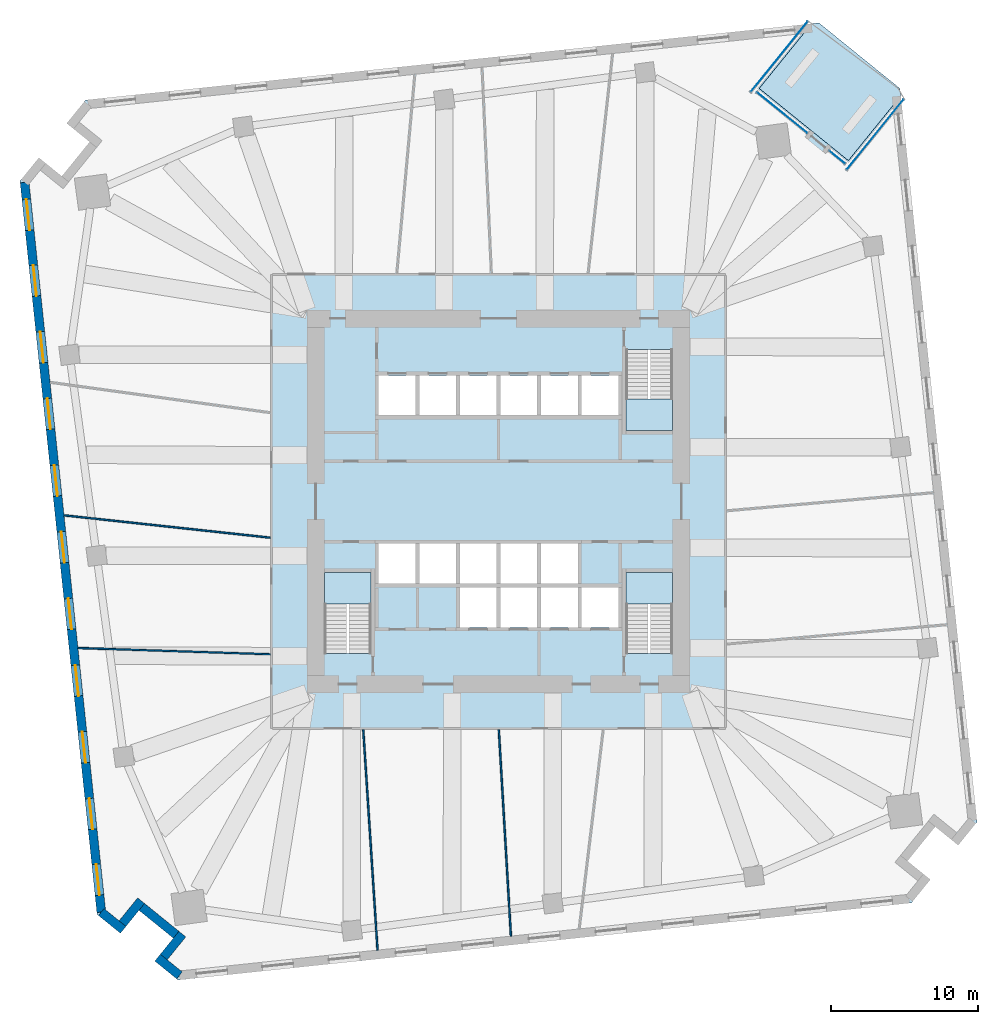
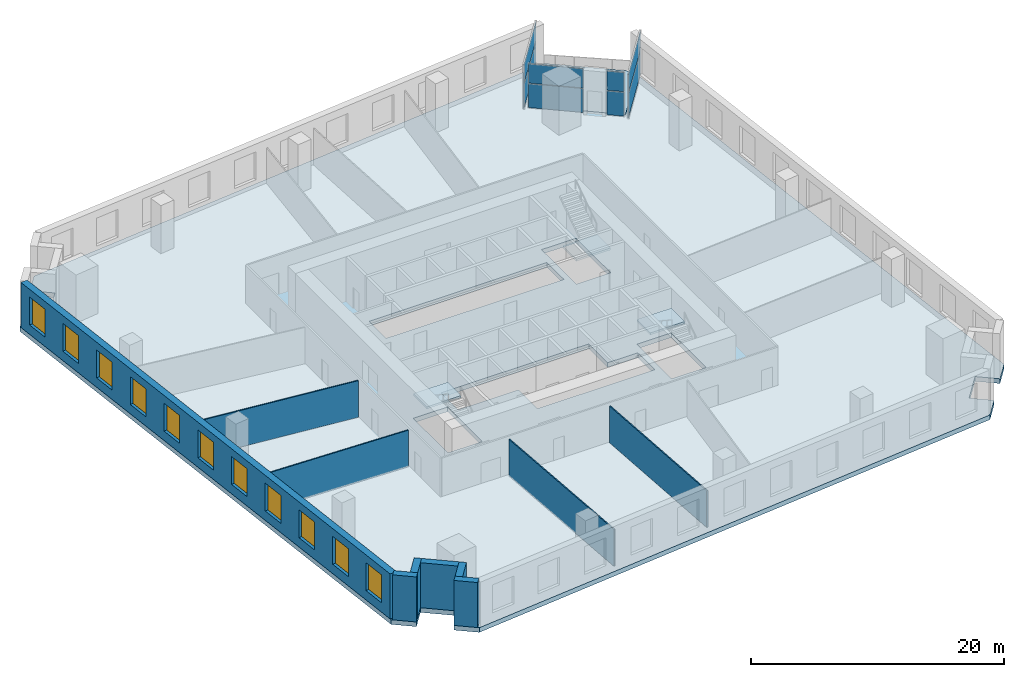
# One storey, part 3 of 10: 11 windows, 10 walls, 8 plates, 5 slabs, 11 openings, 7 elements without a shape of their own.
"""IFC4 building model written with IfcOpenShell, lengths in metres."""

from ifc_helpers import new_model, si_unit, direction, frame, frame_2d, origin, origin_2d, place, context, subcontext, project, spatial, polyline, rectangle, outline, extrude, material, layer, layer_set, type_object, element, fill, aggregate, save


model = new_model("IFC4")

# Units and contexts
model_context = context("Model", 3, precision=1e-05, world=origin(), true_north=direction((0.0, 1.0)))
body_context = subcontext(model_context, "Body", "Model", "MODEL_VIEW")
ifc_project = project(units=[si_unit("LENGTHUNIT", "METRE"), si_unit("AREAUNIT", "SQUARE_METRE"), si_unit("VOLUMEUNIT", "CUBIC_METRE"), si_unit("PLANEANGLEUNIT", "RADIAN"), si_unit("MASSUNIT", "GRAM", prefix="KILO")], contexts=[model_context])

# Site, building, storey
site_placement = place(None, origin())
site = spatial("IfcSite", under=ifc_project, at=site_placement, CompositionType="ELEMENT")
building_placement = place(site_placement, origin())
building = spatial("IfcBuilding", under=site, at=building_placement, Name="Dilmun Exchange Tower", CompositionType="ELEMENT")
storey_placement = place(building_placement, frame((0.0, 0.0, 46.5)))
storey = spatial("IfcBuildingStorey", under=building, at=storey_placement, Name="L10", CompositionType="ELEMENT", Elevation=46.5)

# Stair, slab
ifc_material_1 = material(Name="Concrete C40/50", Category="concrete")
stair_type = type_object("IfcStairType", Name="Exit stair 1500 half-turn", PredefinedType="HALF_TURN_STAIR", material=ifc_material_1)
stair_1_placement = place(storey_placement, origin())
stair_1 = element("IfcStair", 1, at=stair_1_placement, inside=storey, type_object=stair_type, Name="L10 Protected exit stair ST1", PredefinedType="HALF_TURN_STAIR")
ifc_layer_1 = layer(ifc_material_1, 0.199951171875)
ifc_layer_set_1 = layer_set([ifc_layer_1], Name="Concrete C40/50")
slab_type_1 = type_object("IfcSlabType", Name="Exit stair landing 200", PredefinedType="LANDING", material=ifc_layer_set_1)
slab_1_placement = place(storey_placement, frame((0.0, 0.0, 2.199951171875)))
slab_1 = element("IfcSlab", 2, at=slab_1_placement, type_object=slab_type_1, Name="ST1 landing 1", PredefinedType="LANDING", context=body_context, shape_type="SweptSolid", body=[
    extrude(outline(polyline([(8.64990234375, 6.93994140625), (8.64990234375, 4.800048828125), (11.800048828125, 4.800048828125), (11.800048828125, 6.93994140625), (8.64990234375, 6.93994140625)])), origin(), (0.0, 0.0, 1.0), 0.199951171875),
])
aggregate(stair_1, [slab_1])

stair_2_placement = place(storey_placement, origin())
stair_2 = element("IfcStair", 3, at=stair_2_placement, inside=storey, type_object=stair_type, Name="L10 Protected exit stair ST2", PredefinedType="HALF_TURN_STAIR")
slab_2_placement = place(storey_placement, frame((0.0, 0.0, 2.199951171875)))
slab_2 = element("IfcSlab", 4, at=slab_2_placement, type_object=slab_type_1, Name="ST2 landing 1", PredefinedType="LANDING", context=body_context, shape_type="SweptSolid", body=[
    extrude(outline(polyline([(-8.64990234375, -6.93994140625), (-8.64990234375, -4.800048828125), (-11.800048828125, -4.800048828125), (-11.800048828125, -6.93994140625), (-8.64990234375, -6.93994140625)])), origin(), (0.0, 0.0, 1.0), 0.199951171875),
])
aggregate(stair_2, [slab_2])

stair_3_placement = place(storey_placement, origin())
stair_3 = element("IfcStair", 5, at=stair_3_placement, inside=storey, type_object=stair_type, Name="L10 Protected exit stair ST3", PredefinedType="HALF_TURN_STAIR")
slab_3_placement = place(storey_placement, frame((0.0, 0.0, 2.199951171875)))
slab_3 = element("IfcSlab", 6, at=slab_3_placement, type_object=slab_type_1, Name="ST3 landing 1", PredefinedType="LANDING", context=body_context, shape_type="SweptSolid", body=[
    extrude(outline(polyline([(11.800048828125, -6.93994140625), (11.800048828125, -4.800048828125), (8.64990234375, -4.800048828125), (8.64990234375, -6.93994140625), (11.800048828125, -6.93994140625)])), origin(), (0.0, 0.0, 1.0), 0.199951171875),
])
aggregate(stair_3, [slab_3])

# Curtain wall, plates
ifc_material_2 = material(Name="Anodised aluminium and clear glass", Category="aluminium")
curtain_wall_type = type_object("IfcCurtainWallType", Name="Garden corner glazing", PredefinedType="NOTDEFINED", material=ifc_material_2)
curtain_wall_1_placement = place(storey_placement, origin())
curtain_wall_1 = element("IfcCurtainWall", 7, at=curtain_wall_1_placement, inside=storey, type_object=curtain_wall_type, Name="Garden corner glazing run GC1.1", PredefinedType="NOTDEFINED")
ifc_material_3 = material(Name="Clear glass", Category="glass")
ifc_layer_2 = layer(ifc_material_3, 0.028076171875)
ifc_layer_set_2 = layer_set([ifc_layer_2], Name="Clear glass")
plate_type = type_object("IfcPlateType", Name="Garden corner glazing glass panel 28", PredefinedType="CURTAIN_PANEL", material=ifc_layer_set_2)
plate_1_placement = place(storey_placement, frame((25.542236328125, 24.885498046875, 0.06005859375), z_axis=(0.0, 0.0, 1.0), x_axis=(-0.629328550374, -0.777139354096, 0.0)))
plate_1 = element("IfcPlate", 8, at=plate_1_placement, type_object=plate_type, Name="GC1.1 panel 1.1", PredefinedType="CURTAIN_PANEL", context=body_context, shape_type="SweptSolid", body=[
    extrude(rectangle(XDim=6.12646484375, YDim=0.028076171875, at=origin_2d()), origin(), (0.0, 0.0, 1.0), 2.31005859375),
])
plate_2_placement = place(storey_placement, frame((25.542236328125, 24.885498046875, 2.43017578125), z_axis=(0.0, 0.0, 1.0), x_axis=(-0.629328550374, -0.777139354096, 0.0)))
plate_2 = element("IfcPlate", 9, at=plate_2_placement, type_object=plate_type, Name="GC1.1 panel 1.2", PredefinedType="CURTAIN_PANEL", context=body_context, shape_type="SweptSolid", body=[
    extrude(rectangle(XDim=6.12646484375, YDim=0.028076171875, at=origin_2d()), origin(), (0.0, 0.0, 1.0), 1.860107421875),
])
aggregate(curtain_wall_1, [plate_1, plate_2])

curtain_wall_2_placement = place(storey_placement, origin())
curtain_wall_2 = element("IfcCurtainWall", 10, at=curtain_wall_2_placement, inside=storey, type_object=curtain_wall_type, Name="Garden corner glazing run GC2.1", PredefinedType="NOTDEFINED")
plate_3_placement = place(storey_placement, frame((22.953857421875, 23.348876953125, 0.06005859375), z_axis=(0.0, 0.0, 1.0), x_axis=(-0.777140076712, 0.629327658035, 0.0)))
plate_3 = element("IfcPlate", 11, at=plate_3_placement, type_object=plate_type, Name="GC2.1 panel 1.1", PredefinedType="CURTAIN_PANEL", context=body_context, shape_type="SweptSolid", body=[
    extrude(rectangle(XDim=1.369140625, YDim=0.028076171875, at=origin_2d()), origin(), (0.0, 0.0, 1.0), 2.31005859375),
])
plate_4_placement = place(storey_placement, frame((22.953857421875, 23.348876953125, 2.43017578125), z_axis=(0.0, 0.0, 1.0), x_axis=(-0.777140076712, 0.629327658035, 0.0)))
plate_4 = element("IfcPlate", 12, at=plate_4_placement, type_object=plate_type, Name="GC2.1 panel 1.2", PredefinedType="CURTAIN_PANEL", context=body_context, shape_type="SweptSolid", body=[
    extrude(rectangle(XDim=1.369140625, YDim=0.028076171875, at=origin_2d()), origin(), (0.0, 0.0, 1.0), 1.860107421875),
])
aggregate(curtain_wall_2, [plate_3, plate_4])

curtain_wall_3_placement = place(storey_placement, origin())
curtain_wall_3 = element("IfcCurtainWall", 13, at=curtain_wall_3_placement, inside=storey, type_object=curtain_wall_type, Name="Garden corner glazing run GC2.3", PredefinedType="NOTDEFINED")
plate_5_placement = place(storey_placement, frame((19.23193359375, 26.36279296875, 0.06005859375), z_axis=(0.0, 0.0, 1.0), x_axis=(-0.777156154153, 0.62930780391, 0.0)))
plate_5 = element("IfcPlate", 14, at=plate_5_placement, type_object=plate_type, Name="GC2.3 panel 1.1", PredefinedType="CURTAIN_PANEL", context=body_context, shape_type="SweptSolid", body=[
    extrude(rectangle(XDim=4.369140625, YDim=0.028076171875, at=origin_2d()), origin(), (0.0, 0.0, 1.0), 2.31005859375),
])
plate_6_placement = place(storey_placement, frame((19.23193359375, 26.36279296875, 2.43017578125), z_axis=(0.0, 0.0, 1.0), x_axis=(-0.777156154153, 0.62930780391, 0.0)))
plate_6 = element("IfcPlate", 15, at=plate_6_placement, type_object=plate_type, Name="GC2.3 panel 1.2", PredefinedType="CURTAIN_PANEL", context=body_context, shape_type="SweptSolid", body=[
    extrude(rectangle(XDim=4.369140625, YDim=0.028076171875, at=origin_2d()), origin(), (0.0, 0.0, 1.0), 1.860107421875),
])
aggregate(curtain_wall_3, [plate_5, plate_6])

curtain_wall_4_placement = place(storey_placement, origin())
curtain_wall_4 = element("IfcCurtainWall", 16, at=curtain_wall_4_placement, inside=storey, type_object=curtain_wall_type, Name="Garden corner glazing run GC3.1", PredefinedType="NOTDEFINED")
plate_7_placement = place(storey_placement, frame((19.03125, 30.158203125, 0.06005859375), z_axis=(0.0, 0.0, 1.0), x_axis=(0.629318881674, 0.777147183723, 0.0)))
plate_7 = element("IfcPlate", 17, at=plate_7_placement, type_object=plate_type, Name="GC3.1 panel 1.1", PredefinedType="CURTAIN_PANEL", context=body_context, shape_type="SweptSolid", body=[
    extrude(rectangle(XDim=6.12646484375, YDim=0.028076171875, at=origin_2d()), origin(), (0.0, 0.0, 1.0), 2.31005859375),
])
plate_8_placement = place(storey_placement, frame((19.03125, 30.158203125, 2.43017578125), z_axis=(0.0, 0.0, 1.0), x_axis=(0.629318881674, 0.777147183723, 0.0)))
plate_8 = element("IfcPlate", 18, at=plate_8_placement, type_object=plate_type, Name="GC3.1 panel 1.2", PredefinedType="CURTAIN_PANEL", context=body_context, shape_type="SweptSolid", body=[
    extrude(rectangle(XDim=6.12646484375, YDim=0.028076171875, at=origin_2d()), origin(), (0.0, 0.0, 1.0), 1.860107421875),
])
aggregate(curtain_wall_4, [plate_7, plate_8])

# Slabs
ifc_layer_3 = layer(ifc_material_1, 0.449951171875)
ifc_layer_set_3 = layer_set([ifc_layer_3], Name="Concrete C40/50")
slab_type_2 = type_object("IfcSlabType", Name="RC floor slab 450", PredefinedType="FLOOR", material=ifc_layer_set_3)
slab_4_placement = place(storey_placement, frame((0.0, 0.0, -0.449951171875)))
element("IfcSlab", 19, at=slab_4_placement, inside=storey, type_object=slab_type_2, Name="Floor slab", PredefinedType="FLOOR", context=body_context, shape_type="SweptSolid", body=[
    extrude(outline(polyline([(31.16796875, -23.30908203125), (29.613525390625, -22.050537109375), (27.7255859375, -24.3818359375), (29.27978515625, -25.640380859375), (27.998779296875, -27.222412109375), (-21.727294921875, -32.448974609375), (-23.30908203125, -31.16796875), (-22.050537109375, -29.613525390625), (-24.3818359375, -27.7255859375), (-25.640380859375, -29.27978515625), (-27.222412109375, -27.998779296875), (-32.448974609375, 21.727294921875), (-31.16796875, 23.30908203125), (-29.613525390625, 22.050537109375), (-27.7255859375, 24.3818359375), (-29.27978515625, 25.640380859375), (-27.998779296875, 27.222412109375), (21.22998046875, 32.396484375), (17.676513671875, 28.008544921875), (23.72119140625, 23.113525390625), (27.274658203125, 27.501708984375), (32.448974609375, -21.727294921875), (31.16796875, -23.30908203125)]), holes=[polyline([(-8.64990234375, -4.800048828125), (-11.800048828125, -4.800048828125), (-11.800048828125, -10.294921875), (-8.64990234375, -10.294921875), (-8.64990234375, -4.800048828125)]), polyline([(11.800048828125, -4.800048828125), (8.64990234375, -4.800048828125), (8.64990234375, -10.294921875), (11.800048828125, -10.294921875), (11.800048828125, -4.800048828125)]), polyline([(-8.125, -2.85009765625), (-8.125, -5.550048828125), (-2.625, -5.550048828125), (-2.625, -8.550048828125), (8.125, -8.550048828125), (8.125, -5.85009765625), (5.375, -5.85009765625), (5.375, -2.85009765625), (-8.125, -2.85009765625)]), polyline([(-8.125, 5.85009765625), (8.125, 5.85009765625), (8.125, 8.550048828125), (-8.125, 8.550048828125), (-8.125, 5.85009765625)]), polyline([(8.64990234375, 10.294921875), (8.64990234375, 4.800048828125), (11.800048828125, 4.800048828125), (11.800048828125, 10.294921875), (8.64990234375, 10.294921875)])]), origin(), (0.0, 0.0, 1.0), 0.449951171875),
])
ifc_layer_4 = layer(ifc_material_1, 0.300048828125)
ifc_layer_set_4 = layer_set([ifc_layer_4], Name="Concrete C40/50")
slab_type_3 = type_object("IfcSlabType", Name="RC garden terrace slab 300", PredefinedType="FLOOR", material=ifc_layer_set_4)
slab_5_placement = place(storey_placement, frame((0.0, 0.0, -0.300048828125)))
element("IfcSlab", 20, at=slab_5_placement, inside=storey, type_object=slab_type_3, Name="Garden terrace slab", PredefinedType="FLOOR", context=body_context, shape_type="SweptSolid", body=[
    extrude(outline(polyline([(17.676513671875, 28.008544921875), (21.22998046875, 32.396484375), (21.727294921875, 32.448974609375), (27.222412109375, 27.998779296875), (27.274658203125, 27.501708984375), (23.72119140625, 23.113525390625), (17.676513671875, 28.008544921875)])), origin(), (0.0, 0.0, 1.0), 0.300048828125),
])

# Walls
ifc_material_4 = material(Name="Partition 100")
ifc_layer_5 = layer(ifc_material_4, 0.10009765625)
ifc_layer_set_5 = layer_set([ifc_layer_5], Name="Partition 100")
wall_type_1 = type_object("IfcWallType", Name="Partition 100", PredefinedType="PARTITIONING", material=ifc_layer_set_5)
wall_1_placement = place(storey_placement, frame((-29.4609375, -0.94140625, 0.0), z_axis=(0.0, 0.0, 1.0), x_axis=(0.994180492655, -0.107727192598, 0.0)))
element("IfcWall", 21, at=wall_1_placement, inside=storey, type_object=wall_type_1, Name="Partition", PredefinedType="PARTITIONING", context=body_context, shape_type="SweptSolid", body=[
    extrude(rectangle(XDim=14.062255859375, YDim=0.10009765625, at=frame_2d((7.03125, 0.0))), origin(), (0.0, 0.0, 1.0), 3.550048828125),
])
wall_2_placement = place(storey_placement, frame((-28.515625, -9.935791015625, 0.0), z_axis=(0.0, 0.0, 1.0), x_axis=(0.999467274865, -0.032636888245, 0.0)))
element("IfcWall", 22, at=wall_2_placement, inside=storey, type_object=wall_type_1, Name="Partition", PredefinedType="PARTITIONING", context=body_context, shape_type="SweptSolid", body=[
    extrude(rectangle(XDim=13.0458984375, YDim=0.10009765625, at=frame_2d((6.52294921875, 0.0))), origin(), (0.0, 0.0, 1.0), 3.550048828125),
])
wall_3_placement = place(storey_placement, frame((-9.173828125, -15.478271484375, 0.0), z_axis=(0.0, 0.0, 1.0), x_axis=(0.064755162469, -0.997901181948, 0.0)))
element("IfcWall", 23, at=wall_3_placement, inside=storey, type_object=wall_type_1, Name="Partition", PredefinedType="PARTITIONING", context=body_context, shape_type="SweptSolid", body=[
    extrude(rectangle(XDim=14.975341796875, YDim=0.10009765625, at=frame_2d((7.48779296875, 0.0))), origin(), (0.0, 0.0, 1.0), 3.550048828125),
])
wall_4_placement = place(storey_placement, frame((0.0185546875, -15.477783203125, 0.0), z_axis=(0.0, 0.0, 1.0), x_axis=(0.058657702067, -0.998278154618, 0.0)))
element("IfcWall", 24, at=wall_4_placement, inside=storey, type_object=wall_type_1, Name="Partition", PredefinedType="PARTITIONING", context=body_context, shape_type="SweptSolid", body=[
    extrude(rectangle(XDim=14.01806640625, YDim=0.10009765625, at=frame_2d((7.009033203125, 0.0))), origin(), (0.0, 0.0, 1.0), 3.550048828125),
])

# Wall, openings, windows
ifc_material_5 = material(Name="Precast concrete C50/60", Category="concrete")
ifc_layer_6 = layer(ifc_material_5, 0.60009765625)
ifc_layer_set_6 = layer_set([ifc_layer_6], Name="Precast concrete C50/60")
wall_type_2 = type_object("IfcWallType", Name="Precast stone-clad wall 600", PredefinedType="STANDARD", material=ifc_layer_set_6)
wall_5_placement = place(storey_placement, frame((-32.137451171875, 21.635009765625, 0.0), z_axis=(0.0, 0.0, 1.0), x_axis=(0.104528196591, -0.994521923397, 0.0)))
wall_5 = element("IfcWall", 25, at=wall_5_placement, inside=storey, type_object=wall_type_2, Name="Facade wall L10-09", PredefinedType="STANDARD", context=body_context, shape_type="SweptSolid", body=[
    extrude(rectangle(XDim=49.75146484375, YDim=0.60009765625, at=frame_2d((24.875732421875, 0.0))), origin(), (0.0, 0.0, 1.0), 4.35009765625),
])
opening_1_placement = place(wall_5_placement, frame((1.16064453125, 0.0, 0.89990234375)))
opening_1 = element("IfcOpeningElement", 26, at=opening_1_placement, cuts=wall_5, Name="Opening W210-270", PredefinedType="OPENING", context=body_context, shape_type="SweptSolid", body=[
    extrude(rectangle(XDim=2.10009765625, YDim=2.699951171875, at=frame_2d((1.050048828125, 1.35009765625))), frame((0.0, 0.31005859375, 0.0), z_axis=(0.0, -1.0, 0.0), x_axis=(1.0, 0.0, 0.0)), (0.0, 0.0, 1.0), 0.6201171875),
])
opening_2_placement = place(wall_5_placement, frame((5.643798828125, 0.0, 0.89990234375)))
opening_2 = element("IfcOpeningElement", 27, at=opening_2_placement, cuts=wall_5, Name="Opening W210-270", PredefinedType="OPENING", context=body_context, shape_type="SweptSolid", body=[
    extrude(rectangle(XDim=2.10009765625, YDim=2.699951171875, at=frame_2d((1.050048828125, 1.35009765625))), frame((0.0, 0.31005859375, 0.0), z_axis=(0.0, -1.0, 0.0), x_axis=(1.0, 0.0, 0.0)), (0.0, 0.0, 1.0), 0.6201171875),
])
opening_3_placement = place(wall_5_placement, frame((10.189453125, 0.0, 0.89990234375)))
opening_3 = element("IfcOpeningElement", 28, at=opening_3_placement, cuts=wall_5, Name="Opening W210-270", PredefinedType="OPENING", context=body_context, shape_type="SweptSolid", body=[
    extrude(rectangle(XDim=2.10009765625, YDim=2.699951171875, at=frame_2d((1.050048828125, 1.35009765625))), frame((0.0, 0.31005859375, 0.0), z_axis=(0.0, -1.0, 0.0), x_axis=(1.0, 0.0, 0.0)), (0.0, 0.0, 1.0), 0.6201171875),
])
opening_4_placement = place(wall_5_placement, frame((14.73486328125, 0.0, 0.89990234375)))
opening_4 = element("IfcOpeningElement", 29, at=opening_4_placement, cuts=wall_5, Name="Opening W210-270", PredefinedType="OPENING", context=body_context, shape_type="SweptSolid", body=[
    extrude(rectangle(XDim=2.10009765625, YDim=2.699951171875, at=frame_2d((1.050048828125, 1.35009765625))), frame((0.0, 0.31005859375, 0.0), z_axis=(0.0, -1.0, 0.0), x_axis=(1.0, 0.0, 0.0)), (0.0, 0.0, 1.0), 0.6201171875),
])
opening_5_placement = place(wall_5_placement, frame((19.2802734375, 0.0, 0.89990234375)))
opening_5 = element("IfcOpeningElement", 30, at=opening_5_placement, cuts=wall_5, Name="Opening W210-270", PredefinedType="OPENING", context=body_context, shape_type="SweptSolid", body=[
    extrude(rectangle(XDim=2.10009765625, YDim=2.699951171875, at=frame_2d((1.050048828125, 1.35009765625))), frame((0.0, 0.31005859375, 0.0), z_axis=(0.0, -1.0, 0.0), x_axis=(1.0, 0.0, 0.0)), (0.0, 0.0, 1.0), 0.6201171875),
])
opening_6_placement = place(wall_5_placement, frame((23.82568359375, 0.0, 0.89990234375)))
opening_6 = element("IfcOpeningElement", 31, at=opening_6_placement, cuts=wall_5, Name="Opening W210-270", PredefinedType="OPENING", context=body_context, shape_type="SweptSolid", body=[
    extrude(rectangle(XDim=2.10009765625, YDim=2.699951171875, at=frame_2d((1.050048828125, 1.35009765625))), frame((0.0, 0.31005859375, 0.0), z_axis=(0.0, -1.0, 0.0), x_axis=(1.0, 0.0, 0.0)), (0.0, 0.0, 1.0), 0.6201171875),
])
opening_7_placement = place(wall_5_placement, frame((28.37109375, 0.0, 0.89990234375)))
opening_7 = element("IfcOpeningElement", 32, at=opening_7_placement, cuts=wall_5, Name="Opening W210-270", PredefinedType="OPENING", context=body_context, shape_type="SweptSolid", body=[
    extrude(rectangle(XDim=2.10009765625, YDim=2.699951171875, at=frame_2d((1.050048828125, 1.35009765625))), frame((0.0, 0.31005859375, 0.0), z_axis=(0.0, -1.0, 0.0), x_axis=(1.0, 0.0, 0.0)), (0.0, 0.0, 1.0), 0.6201171875),
])
opening_8_placement = place(wall_5_placement, frame((32.91650390625, 0.0, 0.89990234375)))
opening_8 = element("IfcOpeningElement", 33, at=opening_8_placement, cuts=wall_5, Name="Opening W210-270", PredefinedType="OPENING", context=body_context, shape_type="SweptSolid", body=[
    extrude(rectangle(XDim=2.10009765625, YDim=2.699951171875, at=frame_2d((1.050048828125, 1.35009765625))), frame((0.0, 0.31005859375, 0.0), z_axis=(0.0, -1.0, 0.0), x_axis=(1.0, 0.0, 0.0)), (0.0, 0.0, 1.0), 0.6201171875),
])
opening_9_placement = place(wall_5_placement, frame((37.462158203125, 0.0, 0.89990234375)))
opening_9 = element("IfcOpeningElement", 34, at=opening_9_placement, cuts=wall_5, Name="Opening W210-270", PredefinedType="OPENING", context=body_context, shape_type="SweptSolid", body=[
    extrude(rectangle(XDim=2.10009765625, YDim=2.699951171875, at=frame_2d((1.050048828125, 1.35009765625))), frame((0.0, 0.31005859375, 0.0), z_axis=(0.0, -1.0, 0.0), x_axis=(1.0, 0.0, 0.0)), (0.0, 0.0, 1.0), 0.6201171875),
])
opening_10_placement = place(wall_5_placement, frame((42.007568359375, 0.0, 0.89990234375)))
opening_10 = element("IfcOpeningElement", 35, at=opening_10_placement, cuts=wall_5, Name="Opening W210-270", PredefinedType="OPENING", context=body_context, shape_type="SweptSolid", body=[
    extrude(rectangle(XDim=2.10009765625, YDim=2.699951171875, at=frame_2d((1.050048828125, 1.35009765625))), frame((0.0, 0.31005859375, 0.0), z_axis=(0.0, -1.0, 0.0), x_axis=(1.0, 0.0, 0.0)), (0.0, 0.0, 1.0), 0.6201171875),
])
opening_11_placement = place(wall_5_placement, frame((46.490966796875, 0.0, 0.89990234375)))
opening_11 = element("IfcOpeningElement", 36, at=opening_11_placement, cuts=wall_5, Name="Opening W210-270", PredefinedType="OPENING", context=body_context, shape_type="SweptSolid", body=[
    extrude(rectangle(XDim=2.10009765625, YDim=2.699951171875, at=frame_2d((1.050048828125, 1.35009765625))), frame((0.0, 0.31005859375, 0.0), z_axis=(0.0, -1.0, 0.0), x_axis=(1.0, 0.0, 0.0)), (0.0, 0.0, 1.0), 0.6201171875),
])
ifc_material_6 = material(Name="Clear low-emissivity glass in aluminium frame", Category="aluminium")
window_type = type_object("IfcWindowType", Name="Punched window 2100 x 2700", PartitioningType="DOUBLE_PANEL_VERTICAL", PredefinedType="WINDOW", material=ifc_material_6)
window_1_placement = place(opening_1_placement, origin())
window_1 = element("IfcWindow", 37, at=window_1_placement, inside=storey, type_object=window_type, Name="Window 10.1", OverallHeight=2.699951171875, OverallWidth=2.10009765625, PartitioningType="SINGLE_PANEL", PredefinedType="WINDOW", context=body_context, shape_type="SweptSolid", body=[
    extrude(rectangle(XDim=2.10009765625, YDim=2.699951171875, at=frame_2d((1.050048828125, 1.35009765625))), frame((0.0, 0.030029296875, 0.0), z_axis=(0.0, -1.0, 0.0), x_axis=(1.0, 0.0, 0.0)), (0.0, 0.0, 1.0), 0.06005859375),
])
fill(opening_1, window_1)
window_2_placement = place(opening_2_placement, origin())
window_2 = element("IfcWindow", 38, at=window_2_placement, inside=storey, type_object=window_type, Name="Window 10.2", OverallHeight=2.699951171875, OverallWidth=2.10009765625, PartitioningType="SINGLE_PANEL", PredefinedType="WINDOW", context=body_context, shape_type="SweptSolid", body=[
    extrude(rectangle(XDim=2.10009765625, YDim=2.699951171875, at=frame_2d((1.050048828125, 1.35009765625))), frame((0.0, 0.030029296875, 0.0), z_axis=(0.0, -1.0, 0.0), x_axis=(1.0, 0.0, 0.0)), (0.0, 0.0, 1.0), 0.06005859375),
])
fill(opening_2, window_2)
window_3_placement = place(opening_3_placement, origin())
window_3 = element("IfcWindow", 39, at=window_3_placement, inside=storey, type_object=window_type, Name="Window 10.3", OverallHeight=2.699951171875, OverallWidth=2.10009765625, PartitioningType="SINGLE_PANEL", PredefinedType="WINDOW", context=body_context, shape_type="SweptSolid", body=[
    extrude(rectangle(XDim=2.10009765625, YDim=2.699951171875, at=frame_2d((1.050048828125, 1.35009765625))), frame((0.0, 0.030029296875, 0.0), z_axis=(0.0, -1.0, 0.0), x_axis=(1.0, 0.0, 0.0)), (0.0, 0.0, 1.0), 0.06005859375),
])
fill(opening_3, window_3)
window_4_placement = place(opening_4_placement, origin())
window_4 = element("IfcWindow", 40, at=window_4_placement, inside=storey, type_object=window_type, Name="Window 10.4", OverallHeight=2.699951171875, OverallWidth=2.10009765625, PartitioningType="SINGLE_PANEL", PredefinedType="WINDOW", context=body_context, shape_type="SweptSolid", body=[
    extrude(rectangle(XDim=2.10009765625, YDim=2.699951171875, at=frame_2d((1.050048828125, 1.35009765625))), frame((0.0, 0.030029296875, 0.0), z_axis=(0.0, -1.0, 0.0), x_axis=(1.0, 0.0, 0.0)), (0.0, 0.0, 1.0), 0.06005859375),
])
fill(opening_4, window_4)
window_5_placement = place(opening_5_placement, origin())
window_5 = element("IfcWindow", 41, at=window_5_placement, inside=storey, type_object=window_type, Name="Window 10.5", OverallHeight=2.699951171875, OverallWidth=2.10009765625, PartitioningType="SINGLE_PANEL", PredefinedType="WINDOW", context=body_context, shape_type="SweptSolid", body=[
    extrude(rectangle(XDim=2.10009765625, YDim=2.699951171875, at=frame_2d((1.050048828125, 1.35009765625))), frame((0.0, 0.030029296875, 0.0), z_axis=(0.0, -1.0, 0.0), x_axis=(1.0, 0.0, 0.0)), (0.0, 0.0, 1.0), 0.06005859375),
])
fill(opening_5, window_5)
window_6_placement = place(opening_6_placement, origin())
window_6 = element("IfcWindow", 42, at=window_6_placement, inside=storey, type_object=window_type, Name="Window 10.6", OverallHeight=2.699951171875, OverallWidth=2.10009765625, PartitioningType="SINGLE_PANEL", PredefinedType="WINDOW", context=body_context, shape_type="SweptSolid", body=[
    extrude(rectangle(XDim=2.10009765625, YDim=2.699951171875, at=frame_2d((1.050048828125, 1.35009765625))), frame((0.0, 0.030029296875, 0.0), z_axis=(0.0, -1.0, 0.0), x_axis=(1.0, 0.0, 0.0)), (0.0, 0.0, 1.0), 0.06005859375),
])
fill(opening_6, window_6)
window_7_placement = place(opening_7_placement, origin())
window_7 = element("IfcWindow", 43, at=window_7_placement, inside=storey, type_object=window_type, Name="Window 10.7", OverallHeight=2.699951171875, OverallWidth=2.10009765625, PartitioningType="SINGLE_PANEL", PredefinedType="WINDOW", context=body_context, shape_type="SweptSolid", body=[
    extrude(rectangle(XDim=2.10009765625, YDim=2.699951171875, at=frame_2d((1.050048828125, 1.35009765625))), frame((0.0, 0.030029296875, 0.0), z_axis=(0.0, -1.0, 0.0), x_axis=(1.0, 0.0, 0.0)), (0.0, 0.0, 1.0), 0.06005859375),
])
fill(opening_7, window_7)
window_8_placement = place(opening_8_placement, origin())
window_8 = element("IfcWindow", 44, at=window_8_placement, inside=storey, type_object=window_type, Name="Window 10.8", OverallHeight=2.699951171875, OverallWidth=2.10009765625, PartitioningType="SINGLE_PANEL", PredefinedType="WINDOW", context=body_context, shape_type="SweptSolid", body=[
    extrude(rectangle(XDim=2.10009765625, YDim=2.699951171875, at=frame_2d((1.050048828125, 1.35009765625))), frame((0.0, 0.030029296875, 0.0), z_axis=(0.0, -1.0, 0.0), x_axis=(1.0, 0.0, 0.0)), (0.0, 0.0, 1.0), 0.06005859375),
])
fill(opening_8, window_8)
window_9_placement = place(opening_9_placement, origin())
window_9 = element("IfcWindow", 45, at=window_9_placement, inside=storey, type_object=window_type, Name="Window 10.9", OverallHeight=2.699951171875, OverallWidth=2.10009765625, PartitioningType="SINGLE_PANEL", PredefinedType="WINDOW", context=body_context, shape_type="SweptSolid", body=[
    extrude(rectangle(XDim=2.10009765625, YDim=2.699951171875, at=frame_2d((1.050048828125, 1.35009765625))), frame((0.0, 0.030029296875, 0.0), z_axis=(0.0, -1.0, 0.0), x_axis=(1.0, 0.0, 0.0)), (0.0, 0.0, 1.0), 0.06005859375),
])
fill(opening_9, window_9)
window_10_placement = place(opening_10_placement, origin())
window_10 = element("IfcWindow", 46, at=window_10_placement, inside=storey, type_object=window_type, Name="Window 10.10", OverallHeight=2.699951171875, OverallWidth=2.10009765625, PartitioningType="SINGLE_PANEL", PredefinedType="WINDOW", context=body_context, shape_type="SweptSolid", body=[
    extrude(rectangle(XDim=2.10009765625, YDim=2.699951171875, at=frame_2d((1.050048828125, 1.35009765625))), frame((0.0, 0.030029296875, 0.0), z_axis=(0.0, -1.0, 0.0), x_axis=(1.0, 0.0, 0.0)), (0.0, 0.0, 1.0), 0.06005859375),
])
fill(opening_10, window_10)
window_11_placement = place(opening_11_placement, origin())
window_11 = element("IfcWindow", 47, at=window_11_placement, inside=storey, type_object=window_type, Name="Window 10.11", OverallHeight=2.699951171875, OverallWidth=2.10009765625, PartitioningType="SINGLE_PANEL", PredefinedType="WINDOW", context=body_context, shape_type="SweptSolid", body=[
    extrude(rectangle(XDim=2.10009765625, YDim=2.699951171875, at=frame_2d((1.050048828125, 1.35009765625))), frame((0.0, 0.030029296875, 0.0), z_axis=(0.0, -1.0, 0.0), x_axis=(1.0, 0.0, 0.0)), (0.0, 0.0, 1.0), 0.06005859375),
])
fill(opening_11, window_11)

# Walls
wall_6_placement = place(storey_placement, frame((-26.93701171875, -27.843994140625, 0.0), z_axis=(0.0, 0.0, 1.0), x_axis=(0.777128847746, -0.629341524136, 0.0)))
element("IfcWall", 48, at=wall_6_placement, inside=storey, type_object=wall_type_2, Name="Facade wall L10-10", PredefinedType="STANDARD", context=body_context, shape_type="SweptSolid", body=[
    extrude(rectangle(XDim=1.911376953125, YDim=0.60009765625, at=frame_2d((0.95556640625, 0.0))), origin(), (0.0, 0.0, 1.0), 4.35009765625),
])
wall_7_placement = place(storey_placement, frame((-25.49609375, -28.624755859375, 0.0), z_axis=(0.0, 0.0, 1.0), x_axis=(0.629387834958, 0.777091341611, 0.0)))
element("IfcWall", 49, at=wall_7_placement, inside=storey, type_object=wall_type_2, Name="Facade wall L10-11", PredefinedType="STANDARD", context=body_context, shape_type="SweptSolid", body=[
    extrude(rectangle(XDim=2.0, YDim=0.60009765625, at=frame_2d((1.0, 0.0))), origin(), (0.0, 0.0, 1.0), 4.35009765625),
])
wall_8_placement = place(storey_placement, frame((-24.193115234375, -27.492431640625, 0.0), z_axis=(0.0, 0.0, 1.0), x_axis=(0.777131144068, -0.629338688562, 0.0)))
element("IfcWall", 50, at=wall_8_placement, inside=storey, type_object=wall_type_2, Name="Facade wall L10-12", PredefinedType="STANDARD", context=body_context, shape_type="SweptSolid", body=[
    extrude(rectangle(XDim=3.0, YDim=0.60009765625, at=frame_2d((1.5, 0.0))), origin(), (0.0, 0.0, 1.0), 4.35009765625),
])
wall_9_placement = place(storey_placement, frame((-21.439697265625, -29.336181640625, 0.0), z_axis=(0.0, 0.0, 1.0), x_axis=(-0.629387834958, -0.777091341611, 0.0)))
element("IfcWall", 51, at=wall_9_placement, inside=storey, type_object=wall_type_2, Name="Facade wall L10-13", PredefinedType="STANDARD", context=body_context, shape_type="SweptSolid", body=[
    extrude(rectangle(XDim=2.0, YDim=0.60009765625, at=frame_2d((1.0, 0.0))), origin(), (0.0, 0.0, 1.0), 4.35009765625),
])
wall_10_placement = place(storey_placement, frame((-23.120361328125, -30.934814453125, 0.0), z_axis=(0.0, 0.0, 1.0), x_axis=(0.777191320627, -0.629264373012, 0.0)))
element("IfcWall", 52, at=wall_10_placement, inside=storey, type_object=wall_type_2, Name="Facade wall L10-14", PredefinedType="STANDARD", context=body_context, shape_type="SweptSolid", body=[
    extrude(rectangle(XDim=1.9111328125, YDim=0.60009765625, at=frame_2d((0.95556640625, 0.0))), origin(), (0.0, 0.0, 1.0), 4.35009765625),
])

save(model, "model.ifc")
